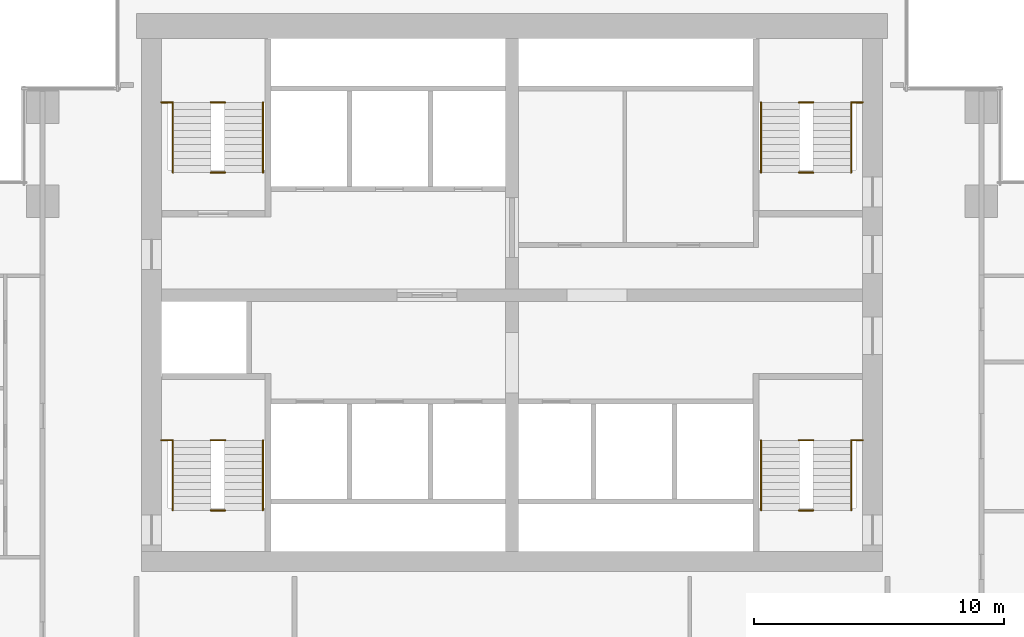
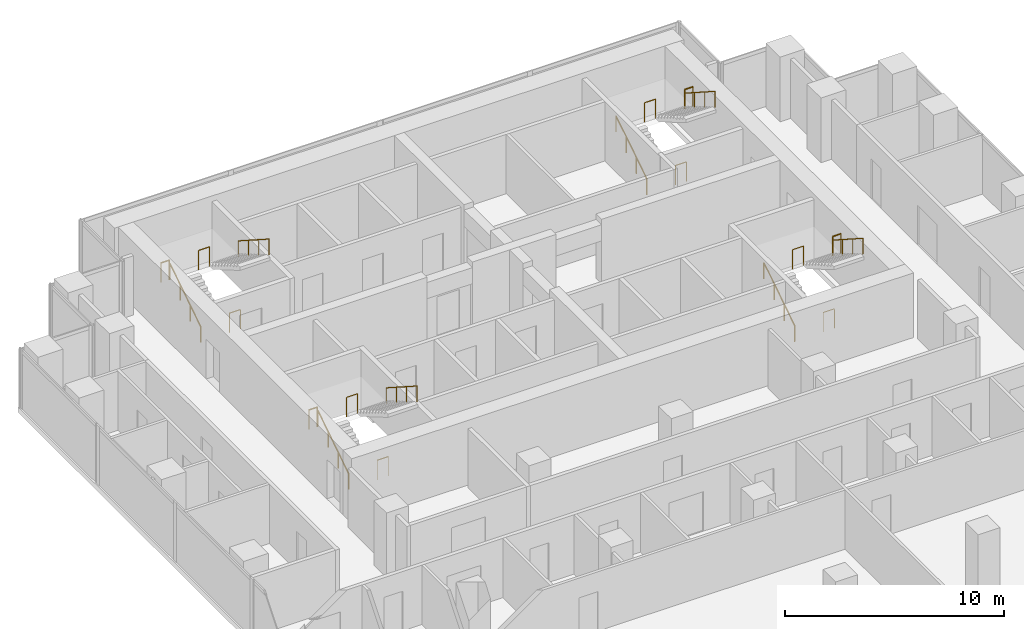
# One storey, part 10 of 10: 20 railings.
"""IFC4 building model written with IfcOpenShell, lengths in metres."""

from ifc_helpers import new_model, si_unit, direction, frame, origin, origin_2d, place, context, subcontext, project, spatial, circle, extrude, material, type_object, element, save


model = new_model("IFC4")

# Units and contexts
model_context = context("Model", 3, precision=1e-05, world=origin(), true_north=direction((0.0, 1.0)))
body_context = subcontext(model_context, "Body", "Model", "MODEL_VIEW")
ifc_project = project(units=[si_unit("LENGTHUNIT", "METRE"), si_unit("AREAUNIT", "SQUARE_METRE"), si_unit("VOLUMEUNIT", "CUBIC_METRE"), si_unit("PLANEANGLEUNIT", "RADIAN"), si_unit("MASSUNIT", "GRAM", prefix="KILO")], contexts=[model_context])

# Site, building, storey
site_placement = place(None, origin())
site = spatial("IfcSite", under=ifc_project, at=site_placement, CompositionType="ELEMENT")
building_placement = place(site_placement, origin())
building = spatial("IfcBuilding", under=site, at=building_placement, Name="Pilkhan Gate Tower", CompositionType="ELEMENT")
storey_placement = place(building_placement, frame((0.0, 0.0, 107.199951171875)))
storey = spatial("IfcBuildingStorey", under=building, at=storey_placement, Name="L26", CompositionType="ELEMENT", Elevation=107.199951171875)

# Railings
ifc_material_1 = material(Name="Black powder-coated steel tube", Category="steel")
railing_type_1 = type_object("IfcRailingType", Name="Stair handrail HR1", PredefinedType="HANDRAIL", material=ifc_material_1)
railing_1_placement = place(storey_placement, frame((84.949951171875, 73.89990234375, 0.0)))
element("IfcRailing", 1, at=railing_1_placement, inside=storey, type_object=railing_type_1, Name="Stair ST1 handrail L26", PredefinedType="HANDRAIL", context=body_context, shape_type="SweptSolid", body=[
    extrude(circle(Radius=0.02392578125, at=origin_2d()), frame((0.0, 0.0, 0.8759765625), z_axis=(0.0, 0.841176092368, 0.540761298198), x_axis=(-1.0, 0.0, 0.0)), (0.0, 0.0, 1.0), 3.32861328125),
    extrude(circle(Radius=0.02099609375, at=origin_2d()), origin(), (0.0, 0.0, 1.0), 0.851806640625),
    extrude(circle(Radius=0.02099609375, at=origin_2d()), frame((0.0, 0.933349609375, 0.60009765625)), (0.0, 0.0, 1.0), 0.851806640625),
    extrude(circle(Radius=0.02099609375, at=origin_2d()), frame((0.0, 1.86669921875, 1.199951171875)), (0.0, 0.0, 1.0), 0.851806640625),
    extrude(circle(Radius=0.02099609375, at=origin_2d()), frame((0.0, 2.800048828125, 1.800048828125)), (0.0, 0.0, 1.0), 0.851806640625),
])
railing_2_placement = place(storey_placement, frame((88.550048828125, 76.699951171875, 1.800048828125)))
element("IfcRailing", 2, at=railing_2_placement, inside=storey, type_object=railing_type_1, Name="Stair ST1 handrail L26", PredefinedType="HANDRAIL", context=body_context, shape_type="SweptSolid", body=[
    extrude(circle(Radius=0.02392578125, at=origin_2d()), frame((0.0, 0.0, 0.8759765625), z_axis=(0.0, -0.841176092368, 0.540761298198), x_axis=(1.0, 0.0, 0.0)), (0.0, 0.0, 1.0), 3.32861328125),
    extrude(circle(Radius=0.02099609375, at=origin_2d()), origin(), (0.0, 0.0, 1.0), 0.851806640625),
    extrude(circle(Radius=0.02099609375, at=origin_2d()), frame((0.0, -0.933349609375, 0.60009765625)), (0.0, 0.0, 1.0), 0.851806640625),
    extrude(circle(Radius=0.02099609375, at=origin_2d()), frame((0.0, -1.86669921875, 1.199951171875)), (0.0, 0.0, 1.0), 0.851806640625),
    extrude(circle(Radius=0.02099609375, at=origin_2d()), frame((0.0, -2.800048828125, 1.800048828125)), (0.0, 0.0, 1.0), 0.851806640625),
])
railing_3_placement = place(storey_placement, frame((61.449951171875, 73.89990234375, 0.0)))
element("IfcRailing", 3, at=railing_3_placement, inside=storey, type_object=railing_type_1, Name="Stair ST2 handrail L26", PredefinedType="HANDRAIL", context=body_context, shape_type="SweptSolid", body=[
    extrude(circle(Radius=0.02392578125, at=origin_2d()), frame((0.0, 0.0, 0.8759765625), z_axis=(0.0, 0.841176092368, 0.540761298198), x_axis=(-1.0, 0.0, 0.0)), (0.0, 0.0, 1.0), 3.32861328125),
    extrude(circle(Radius=0.02099609375, at=origin_2d()), origin(), (0.0, 0.0, 1.0), 0.851806640625),
    extrude(circle(Radius=0.02099609375, at=origin_2d()), frame((0.0, 0.933349609375, 0.60009765625)), (0.0, 0.0, 1.0), 0.851806640625),
    extrude(circle(Radius=0.02099609375, at=origin_2d()), frame((0.0, 1.86669921875, 1.199951171875)), (0.0, 0.0, 1.0), 0.851806640625),
    extrude(circle(Radius=0.02099609375, at=origin_2d()), frame((0.0, 2.800048828125, 1.800048828125)), (0.0, 0.0, 1.0), 0.851806640625),
])
railing_4_placement = place(storey_placement, frame((65.050048828125, 76.699951171875, 1.800048828125)))
element("IfcRailing", 4, at=railing_4_placement, inside=storey, type_object=railing_type_1, Name="Stair ST2 handrail L26", PredefinedType="HANDRAIL", context=body_context, shape_type="SweptSolid", body=[
    extrude(circle(Radius=0.02392578125, at=origin_2d()), frame((0.0, 0.0, 0.8759765625), z_axis=(0.0, -0.841176092368, 0.540761298198), x_axis=(1.0, 0.0, 0.0)), (0.0, 0.0, 1.0), 3.32861328125),
    extrude(circle(Radius=0.02099609375, at=origin_2d()), origin(), (0.0, 0.0, 1.0), 0.851806640625),
    extrude(circle(Radius=0.02099609375, at=origin_2d()), frame((0.0, -0.933349609375, 0.60009765625)), (0.0, 0.0, 1.0), 0.851806640625),
    extrude(circle(Radius=0.02099609375, at=origin_2d()), frame((0.0, -1.86669921875, 1.199951171875)), (0.0, 0.0, 1.0), 0.851806640625),
    extrude(circle(Radius=0.02099609375, at=origin_2d()), frame((0.0, -2.800048828125, 1.800048828125)), (0.0, 0.0, 1.0), 0.851806640625),
])
railing_5_placement = place(storey_placement, frame((61.449951171875, 87.39990234375, 0.0)))
element("IfcRailing", 5, at=railing_5_placement, inside=storey, type_object=railing_type_1, Name="Stair ST3 handrail L26", PredefinedType="HANDRAIL", context=body_context, shape_type="SweptSolid", body=[
    extrude(circle(Radius=0.02392578125, at=origin_2d()), frame((0.0, 0.0, 0.8759765625), z_axis=(0.0, 0.841176092368, 0.540761298198), x_axis=(-1.0, 0.0, 0.0)), (0.0, 0.0, 1.0), 3.32861328125),
    extrude(circle(Radius=0.02099609375, at=origin_2d()), origin(), (0.0, 0.0, 1.0), 0.851806640625),
    extrude(circle(Radius=0.02099609375, at=origin_2d()), frame((0.0, 0.933349609375, 0.60009765625)), (0.0, 0.0, 1.0), 0.851806640625),
    extrude(circle(Radius=0.02099609375, at=origin_2d()), frame((0.0, 1.86669921875, 1.199951171875)), (0.0, 0.0, 1.0), 0.851806640625),
    extrude(circle(Radius=0.02099609375, at=origin_2d()), frame((0.0, 2.800048828125, 1.800048828125)), (0.0, 0.0, 1.0), 0.851806640625),
])
railing_6_placement = place(storey_placement, frame((65.050048828125, 90.199951171875, 1.800048828125)))
element("IfcRailing", 6, at=railing_6_placement, inside=storey, type_object=railing_type_1, Name="Stair ST3 handrail L26", PredefinedType="HANDRAIL", context=body_context, shape_type="SweptSolid", body=[
    extrude(circle(Radius=0.02392578125, at=origin_2d()), frame((0.0, 0.0, 0.8759765625), z_axis=(0.0, -0.841176092368, 0.540761298198), x_axis=(1.0, 0.0, 0.0)), (0.0, 0.0, 1.0), 3.32861328125),
    extrude(circle(Radius=0.02099609375, at=origin_2d()), origin(), (0.0, 0.0, 1.0), 0.851806640625),
    extrude(circle(Radius=0.02099609375, at=origin_2d()), frame((0.0, -0.933349609375, 0.60009765625)), (0.0, 0.0, 1.0), 0.851806640625),
    extrude(circle(Radius=0.02099609375, at=origin_2d()), frame((0.0, -1.86669921875, 1.199951171875)), (0.0, 0.0, 1.0), 0.851806640625),
    extrude(circle(Radius=0.02099609375, at=origin_2d()), frame((0.0, -2.800048828125, 1.800048828125)), (0.0, 0.0, 1.0), 0.851806640625),
])
railing_7_placement = place(storey_placement, frame((84.949951171875, 87.39990234375, 0.0)))
element("IfcRailing", 7, at=railing_7_placement, inside=storey, type_object=railing_type_1, Name="Stair ST4 handrail L26", PredefinedType="HANDRAIL", context=body_context, shape_type="SweptSolid", body=[
    extrude(circle(Radius=0.02392578125, at=origin_2d()), frame((0.0, 0.0, 0.8759765625), z_axis=(0.0, 0.841176092368, 0.540761298198), x_axis=(-1.0, 0.0, 0.0)), (0.0, 0.0, 1.0), 3.32861328125),
    extrude(circle(Radius=0.02099609375, at=origin_2d()), origin(), (0.0, 0.0, 1.0), 0.851806640625),
    extrude(circle(Radius=0.02099609375, at=origin_2d()), frame((0.0, 0.933349609375, 0.60009765625)), (0.0, 0.0, 1.0), 0.851806640625),
    extrude(circle(Radius=0.02099609375, at=origin_2d()), frame((0.0, 1.86669921875, 1.199951171875)), (0.0, 0.0, 1.0), 0.851806640625),
    extrude(circle(Radius=0.02099609375, at=origin_2d()), frame((0.0, 2.800048828125, 1.800048828125)), (0.0, 0.0, 1.0), 0.851806640625),
])
railing_8_placement = place(storey_placement, frame((88.550048828125, 90.199951171875, 1.800048828125)))
element("IfcRailing", 8, at=railing_8_placement, inside=storey, type_object=railing_type_1, Name="Stair ST4 handrail L26", PredefinedType="HANDRAIL", context=body_context, shape_type="SweptSolid", body=[
    extrude(circle(Radius=0.02392578125, at=origin_2d()), frame((0.0, 0.0, 0.8759765625), z_axis=(0.0, -0.841176092368, 0.540761298198), x_axis=(1.0, 0.0, 0.0)), (0.0, 0.0, 1.0), 3.32861328125),
    extrude(circle(Radius=0.02099609375, at=origin_2d()), origin(), (0.0, 0.0, 1.0), 0.851806640625),
    extrude(circle(Radius=0.02099609375, at=origin_2d()), frame((0.0, -0.933349609375, 0.60009765625)), (0.0, 0.0, 1.0), 0.851806640625),
    extrude(circle(Radius=0.02099609375, at=origin_2d()), frame((0.0, -1.86669921875, 1.199951171875)), (0.0, 0.0, 1.0), 0.851806640625),
    extrude(circle(Radius=0.02099609375, at=origin_2d()), frame((0.0, -2.800048828125, 1.800048828125)), (0.0, 0.0, 1.0), 0.851806640625),
])
ifc_material_2 = material(Name="Black powder-coated steel balusters", Category="steel")
railing_type_2 = type_object("IfcRailingType", Name="Stair well guard G3", PredefinedType="GUARDRAIL", material=ifc_material_2)
railing_9_placement = place(storey_placement, frame((88.580078125, 76.699951171875, 1.800048828125)))
element("IfcRailing", 9, at=railing_9_placement, inside=storey, type_object=railing_type_2, Name="Stair ST1 well guard L26", PredefinedType="GUARDRAIL", context=body_context, shape_type="SweptSolid", body=[
    extrude(circle(Radius=0.02392578125, at=origin_2d()), frame((0.0, 0.0, 1.076171875), z_axis=(1.0, 0.0, 0.0), x_axis=(0.0, 1.0, 0.0)), (0.0, 0.0, 1.0), 0.43994140625),
    extrude(circle(Radius=0.02099609375, at=origin_2d()), origin(), (0.0, 0.0, 1.0), 1.052001953125),
    extrude(circle(Radius=0.02099609375, at=origin_2d()), frame((0.43994140625, 0.0, 0.0)), (0.0, 0.0, 1.0), 1.052001953125),
])
for number, where, name in (
    (10, (86.4599609375, 73.89990234375, 0.0), "Stair ST1 well guard L26"),
    (11, (86.4599609375, 76.699951171875, 1.800048828125), "Stair ST1 well guard L26"),
):
    element("IfcRailing", number, at=place(storey_placement, frame(where)), inside=storey, type_object=railing_type_2, Name=name, PredefinedType="GUARDRAIL", context=body_context, shape_type="SweptSolid", body=[
        extrude(circle(Radius=0.02392578125, at=origin_2d()), frame((0.0, 0.0, 1.076171875), z_axis=(1.0, 0.0, 0.0), x_axis=(0.0, 1.0, 0.0)), (0.0, 0.0, 1.0), 0.580078125),
        extrude(circle(Radius=0.02099609375, at=origin_2d()), origin(), (0.0, 0.0, 1.0), 1.052001953125),
        extrude(circle(Radius=0.02099609375, at=origin_2d()), frame((0.580078125, 0.0, 0.0)), (0.0, 0.0, 1.0), 1.052001953125),
    ])
railing_10_placement = place(storey_placement, frame((60.97998046875, 76.699951171875, 1.800048828125)))
element("IfcRailing", 12, at=railing_10_placement, inside=storey, type_object=railing_type_2, Name="Stair ST2 well guard L26", PredefinedType="GUARDRAIL", context=body_context, shape_type="SweptSolid", body=[
    extrude(circle(Radius=0.02392578125, at=origin_2d()), frame((0.0, 0.0, 1.076171875), z_axis=(1.0, 0.0, 0.0), x_axis=(0.0, 1.0, 0.0)), (0.0, 0.0, 1.0), 0.43994140625),
    extrude(circle(Radius=0.02099609375, at=origin_2d()), origin(), (0.0, 0.0, 1.0), 1.052001953125),
    extrude(circle(Radius=0.02099609375, at=origin_2d()), frame((0.43994140625, 0.0, 0.0)), (0.0, 0.0, 1.0), 1.052001953125),
])
for number, where, name in (
    (13, (62.9599609375, 73.89990234375, 0.0), "Stair ST2 well guard L26"),
    (14, (62.9599609375, 76.699951171875, 1.800048828125), "Stair ST2 well guard L26"),
):
    element("IfcRailing", number, at=place(storey_placement, frame(where)), inside=storey, type_object=railing_type_2, Name=name, PredefinedType="GUARDRAIL", context=body_context, shape_type="SweptSolid", body=[
        extrude(circle(Radius=0.02392578125, at=origin_2d()), frame((0.0, 0.0, 1.076171875), z_axis=(1.0, 0.0, 0.0), x_axis=(0.0, 1.0, 0.0)), (0.0, 0.0, 1.0), 0.580078125),
        extrude(circle(Radius=0.02099609375, at=origin_2d()), origin(), (0.0, 0.0, 1.0), 1.052001953125),
        extrude(circle(Radius=0.02099609375, at=origin_2d()), frame((0.580078125, 0.0, 0.0)), (0.0, 0.0, 1.0), 1.052001953125),
    ])
railing_11_placement = place(storey_placement, frame((60.97998046875, 90.199951171875, 1.800048828125)))
element("IfcRailing", 15, at=railing_11_placement, inside=storey, type_object=railing_type_2, Name="Stair ST3 well guard L26", PredefinedType="GUARDRAIL", context=body_context, shape_type="SweptSolid", body=[
    extrude(circle(Radius=0.02392578125, at=origin_2d()), frame((0.0, 0.0, 1.076171875), z_axis=(1.0, 0.0, 0.0), x_axis=(0.0, 1.0, 0.0)), (0.0, 0.0, 1.0), 0.43994140625),
    extrude(circle(Radius=0.02099609375, at=origin_2d()), origin(), (0.0, 0.0, 1.0), 1.052001953125),
    extrude(circle(Radius=0.02099609375, at=origin_2d()), frame((0.43994140625, 0.0, 0.0)), (0.0, 0.0, 1.0), 1.052001953125),
])
for number, where, name in (
    (16, (62.9599609375, 87.39990234375, 0.0), "Stair ST3 well guard L26"),
    (17, (62.9599609375, 90.199951171875, 1.800048828125), "Stair ST3 well guard L26"),
):
    element("IfcRailing", number, at=place(storey_placement, frame(where)), inside=storey, type_object=railing_type_2, Name=name, PredefinedType="GUARDRAIL", context=body_context, shape_type="SweptSolid", body=[
        extrude(circle(Radius=0.02392578125, at=origin_2d()), frame((0.0, 0.0, 1.076171875), z_axis=(1.0, 0.0, 0.0), x_axis=(0.0, 1.0, 0.0)), (0.0, 0.0, 1.0), 0.580078125),
        extrude(circle(Radius=0.02099609375, at=origin_2d()), origin(), (0.0, 0.0, 1.0), 1.052001953125),
        extrude(circle(Radius=0.02099609375, at=origin_2d()), frame((0.580078125, 0.0, 0.0)), (0.0, 0.0, 1.0), 1.052001953125),
    ])
railing_12_placement = place(storey_placement, frame((88.580078125, 90.199951171875, 1.800048828125)))
element("IfcRailing", 18, at=railing_12_placement, inside=storey, type_object=railing_type_2, Name="Stair ST4 well guard L26", PredefinedType="GUARDRAIL", context=body_context, shape_type="SweptSolid", body=[
    extrude(circle(Radius=0.02392578125, at=origin_2d()), frame((0.0, 0.0, 1.076171875), z_axis=(1.0, 0.0, 0.0), x_axis=(0.0, 1.0, 0.0)), (0.0, 0.0, 1.0), 0.43994140625),
    extrude(circle(Radius=0.02099609375, at=origin_2d()), origin(), (0.0, 0.0, 1.0), 1.052001953125),
    extrude(circle(Radius=0.02099609375, at=origin_2d()), frame((0.43994140625, 0.0, 0.0)), (0.0, 0.0, 1.0), 1.052001953125),
])
for number, where, name in (
    (19, (86.4599609375, 87.39990234375, 0.0), "Stair ST4 well guard L26"),
    (20, (86.4599609375, 90.199951171875, 1.800048828125), "Stair ST4 well guard L26"),
):
    element("IfcRailing", number, at=place(storey_placement, frame(where)), inside=storey, type_object=railing_type_2, Name=name, PredefinedType="GUARDRAIL", context=body_context, shape_type="SweptSolid", body=[
        extrude(circle(Radius=0.02392578125, at=origin_2d()), frame((0.0, 0.0, 1.076171875), z_axis=(1.0, 0.0, 0.0), x_axis=(0.0, 1.0, 0.0)), (0.0, 0.0, 1.0), 0.580078125),
        extrude(circle(Radius=0.02099609375, at=origin_2d()), origin(), (0.0, 0.0, 1.0), 1.052001953125),
        extrude(circle(Radius=0.02099609375, at=origin_2d()), frame((0.580078125, 0.0, 0.0)), (0.0, 0.0, 1.0), 1.052001953125),
    ])

save(model, "model.ifc")
